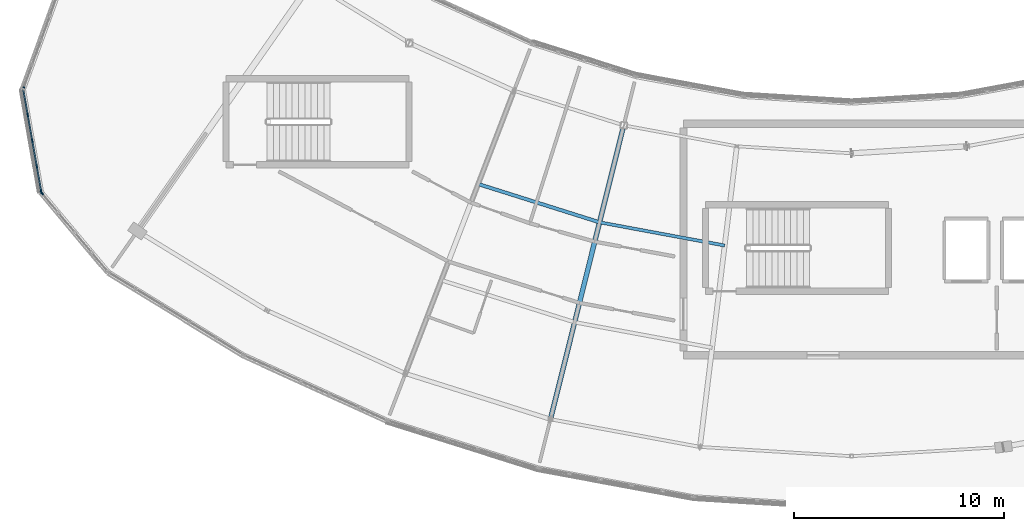
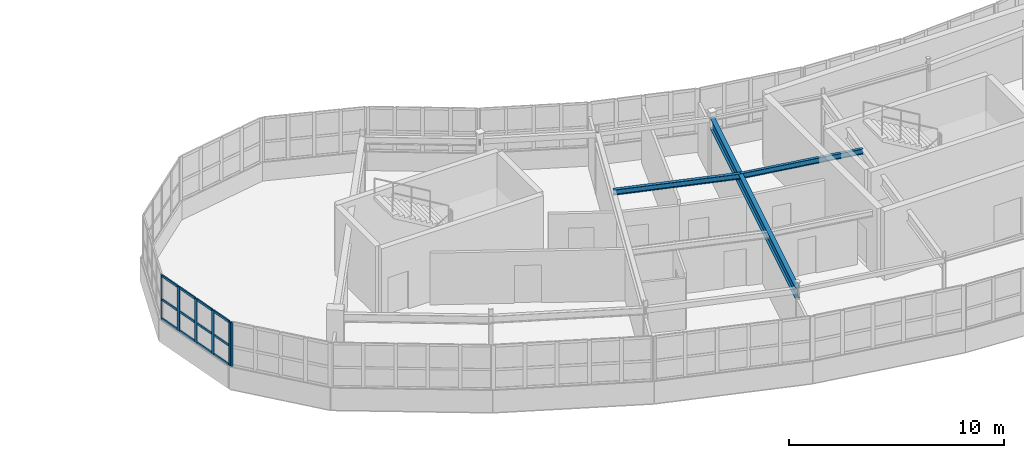
# One storey, part 20 of 79: 18 members, 3 beams, 3 elements without a shape of their own.
"""IFC4 building model written with IfcOpenShell, lengths in metres."""

from ifc_helpers import new_model, si_unit, direction, frame, origin, origin_2d, place, context, subcontext, project, spatial, rectangle, i_section, extrude, material, layer, layer_set, material_profile, profile_set, type_object, element, aggregate, save


model = new_model("IFC4")

# Units and contexts
model_context = context("Model", 3, precision=1e-05, world=origin(), true_north=direction((0.0, 1.0)))
body_context = subcontext(model_context, "Body", "Model", "MODEL_VIEW")
ifc_project = project(units=[si_unit("LENGTHUNIT", "METRE"), si_unit("AREAUNIT", "SQUARE_METRE"), si_unit("VOLUMEUNIT", "CUBIC_METRE"), si_unit("PLANEANGLEUNIT", "RADIAN"), si_unit("MASSUNIT", "GRAM", prefix="KILO")], contexts=[model_context])

# Site, building, storey
site_placement = place(None, origin())
site = spatial("IfcSite", under=ifc_project, at=site_placement, CompositionType="ELEMENT")
building_placement = place(site_placement, origin())
building = spatial("IfcBuilding", under=site, at=building_placement, Name="Tarnwether General Hospital", CompositionType="ELEMENT")
storey_placement = place(building_placement, frame((0.0, 0.0, 18.300048828125)))
storey = spatial("IfcBuildingStorey", under=building, at=storey_placement, Name="L04", CompositionType="ELEMENT", Elevation=18.300048828125)

# Beams
ifc_material_1 = material(Name="Steel Grade 350 (350 MPa)", Category="steel")
ifc_material_profile_1 = material_profile(ifc_material_1, i_section(OverallWidth=0.22802734375, OverallDepth=0.60693359375, WebThickness=0.01123046875, FlangeThickness=0.017333984375, at=origin_2d()), Name="610UB113")
ifc_profile_set_1 = profile_set([ifc_material_profile_1], Name="Steel Grade 350 (350 MPa)")
beam_type_1 = type_object("IfcBeamType", Name="BM-G04", PredefinedType="BEAM", material=ifc_profile_set_1)
beam_1_placement = place(storey_placement, frame((77.677978515625, 5.55810546875, 3.25634765625), z_axis=(0.241941215118, 0.970290909175, 0.0), x_axis=(-0.970290909175, 0.241941215118, 0.0)))
element("IfcBeam", 1, at=beam_1_placement, inside=storey, type_object=beam_type_1, Name="Curved Ward SE Radial Girder BMG-L04-7768_556-8116_1953-2133", PredefinedType="BEAM", context=body_context, shape_type="SweptSolid", body=[
    extrude(i_section(OverallWidth=0.22802734375, OverallDepth=0.60693359375, WebThickness=0.01123046875, FlangeThickness=0.017333984375, at=origin_2d()), origin(), (0.0, 0.0, 1.0), 14.400634765625),
])
ifc_material_2 = material(Name="Steel Grade 350 (350 MPa)", Category="steel")
ifc_material_profile_2 = material_profile(ifc_material_2, i_section(OverallWidth=0.1650390625, OverallDepth=0.303955078125, WebThickness=0.006103515625, FlangeThickness=0.01025390625, at=origin_2d()), Name="310UB40.4")
ifc_profile_set_2 = profile_set([ifc_material_profile_2], Name="Steel Grade 350 (350 MPa)")
beam_type_2 = type_object("IfcBeamType", Name="BM-J07", PredefinedType="JOIST", material=ifc_profile_set_2)
beam_2_placement = place(storey_placement, frame((74.241943359375, 16.739013671875, 3.407958984375), z_axis=(0.953725879816, -0.300677478654, 0.0), x_axis=(0.300677478654, 0.953725879816, 0.0)))
element("IfcBeam", 2, at=beam_2_placement, inside=storey, type_object=beam_type_2, Name="Curved Ward SE Chord Joist BMG-L04-7424_1674-8001_1492-2145", PredefinedType="JOIST", context=body_context, shape_type="SweptSolid", body=[
    extrude(i_section(OverallWidth=0.1650390625, OverallDepth=0.303955078125, WebThickness=0.006103515625, FlangeThickness=0.01025390625, at=origin_2d()), origin(), (0.0, 0.0, 1.0), 6.050048828125),
])
ifc_material_3 = material(Name="Steel Grade 350 (350 MPa)", Category="steel")
ifc_material_profile_3 = material_profile(ifc_material_3, i_section(OverallWidth=0.14892578125, OverallDepth=0.298095703125, WebThickness=0.005615234375, FlangeThickness=0.008056640625, at=origin_2d()), Name="310UB32.0")
ifc_profile_set_3 = profile_set([ifc_material_profile_3], Name="Steel Grade 350 (350 MPa)")
beam_type_3 = type_object("IfcBeamType", Name="BM-J08", PredefinedType="JOIST", material=ifc_profile_set_3)
beam_3_placement = place(storey_placement, frame((80.011962890625, 14.919921875, 3.410888671875), z_axis=(0.983241575901, -0.182307442029, 0.0), x_axis=(0.182307442029, 0.983241575901, 0.0)))
element("IfcBeam", 3, at=beam_3_placement, inside=storey, type_object=beam_type_3, Name="Curved Ward SE Chord Joist BMG-L04-8001_1492-8596_1382-2149", PredefinedType="JOIST", context=body_context, shape_type="SweptSolid", body=[
    extrude(i_section(OverallWidth=0.14892578125, OverallDepth=0.298095703125, WebThickness=0.005615234375, FlangeThickness=0.008056640625, at=origin_2d()), origin(), (0.0, 0.0, 1.0), 6.05029296875),
])

# Curtain wall, member
ifc_material_4 = material(Name="Anodised aluminium", Category="aluminium")
ifc_layer = layer(ifc_material_4, 0.159912109375)
ifc_layer_set = layer_set([ifc_layer], Name="Anodised aluminium")
curtain_wall_type = type_object("IfcCurtainWallType", Name="CW-03", PredefinedType="NOTDEFINED", material=ifc_layer_set)
curtain_wall_1_placement = place(storey_placement, origin())
curtain_wall_1 = element("IfcCurtainWall", 4, at=curtain_wall_1_placement, inside=storey, type_object=curtain_wall_type, Name="Curtain Wall CWG-L04-526_212-0215", PredefinedType="NOTDEFINED")
ifc_material_5 = material(Name="Anodised aluminium", Category="aluminium")
ifc_material_profile_4 = material_profile(ifc_material_5, rectangle(XDim=0.070068359375, YDim=0.179931640625, at=origin_2d()), Name="ALU-MUL-70x180")
ifc_profile_set_4 = profile_set([ifc_material_profile_4], Name="Anodised aluminium")
member_type_1 = type_object("IfcMemberType", Name="CW-ML2", PredefinedType="MULLION", material=ifc_profile_set_4)
member_1_placement = place(storey_placement, frame((52.623046875, 21.27392578125, 1.050048828125), z_axis=(0.0, 0.0, 1.0), x_axis=(-0.939717006582, 0.341953136469, 0.0)))
member_1 = element("IfcMember", 5, at=member_1_placement, type_object=member_type_1, Name="CW-03 mullion 1", PredefinedType="MULLION", context=body_context, shape_type="SweptSolid", body=[
    extrude(rectangle(XDim=0.070068359375, YDim=0.179931640625, at=origin_2d()), origin(), (0.0, 0.0, 1.0), 2.489990234375),
])
aggregate(curtain_wall_1, [member_1])

# Curtain wall, members
curtain_wall_2_placement = place(storey_placement, origin())
curtain_wall_2 = element("IfcCurtainWall", 6, at=curtain_wall_2_placement, inside=storey, type_object=curtain_wall_type, Name="Curtain Wall CWG-L04-535_163-0216", PredefinedType="NOTDEFINED")
ifc_material_6 = material(Name="Anodised aluminium", Category="aluminium")
ifc_material_profile_5 = material_profile(ifc_material_6, rectangle(XDim=0.06494140625, YDim=0.169921875, at=origin_2d()), Name="ALU-MUL-65x170")
ifc_profile_set_5 = profile_set([ifc_material_profile_5], Name="Anodised aluminium")
member_type_2 = type_object("IfcMemberType", Name="CW-ML3", PredefinedType="MULLION", material=ifc_profile_set_5)
member_2_placement = place(storey_placement, frame((53.46728515625, 16.37890625, 1.050048828125), z_axis=(0.0, 0.0, 1.0), x_axis=(-0.984840230098, -0.173463890135, 0.0)))
member_2 = element("IfcMember", 7, at=member_2_placement, type_object=member_type_2, Name="CW-03 mullion 1", PredefinedType="MULLION", context=body_context, shape_type="SweptSolid", body=[
    extrude(rectangle(XDim=0.06494140625, YDim=0.169921875, at=origin_2d()), origin(), (0.0, 0.0, 1.0), 2.489990234375),
])
member_3_placement = place(storey_placement, frame((53.257568359375, 17.570556640625, 1.050048828125), z_axis=(0.0, 0.0, 1.0), x_axis=(-0.984840230098, -0.173463890135, 0.0)))
member_3 = element("IfcMember", 8, at=member_3_placement, type_object=member_type_2, Name="CW-03 mullion 2", PredefinedType="MULLION", context=body_context, shape_type="SweptSolid", body=[
    extrude(rectangle(XDim=0.06494140625, YDim=0.169921875, at=origin_2d()), origin(), (0.0, 0.0, 1.0), 2.489990234375),
])
member_4_placement = place(storey_placement, frame((53.0419921875, 18.7939453125, 1.050048828125), z_axis=(0.0, 0.0, 1.0), x_axis=(-0.984840230098, -0.173463890135, 0.0)))
member_4 = element("IfcMember", 9, at=member_4_placement, type_object=member_type_2, Name="CW-03 mullion 3", PredefinedType="MULLION", context=body_context, shape_type="SweptSolid", body=[
    extrude(rectangle(XDim=0.06494140625, YDim=0.169921875, at=origin_2d()), origin(), (0.0, 0.0, 1.0), 2.489990234375),
])
member_5_placement = place(storey_placement, frame((52.826416015625, 20.017578125, 1.050048828125), z_axis=(0.0, 0.0, 1.0), x_axis=(-0.984840230098, -0.173463890135, 0.0)))
member_5 = element("IfcMember", 10, at=member_5_placement, type_object=member_type_2, Name="CW-03 mullion 4", PredefinedType="MULLION", context=body_context, shape_type="SweptSolid", body=[
    extrude(rectangle(XDim=0.06494140625, YDim=0.169921875, at=origin_2d()), origin(), (0.0, 0.0, 1.0), 2.489990234375),
])

# Curtain wall, member
curtain_wall_3_placement = place(storey_placement, origin())
curtain_wall_3 = element("IfcCurtainWall", 11, at=curtain_wall_3_placement, inside=storey, type_object=curtain_wall_type, Name="Curtain Wall CWG-L04-567_125-0217", PredefinedType="NOTDEFINED")
ifc_material_7 = material(Name="Anodised aluminium", Category="aluminium")
ifc_material_profile_6 = material_profile(ifc_material_7, rectangle(XDim=0.080078125, YDim=0.199951171875, at=origin_2d()), Name="ALU-MUL-80x200")
ifc_profile_set_6 = profile_set([ifc_material_profile_6], Name="Anodised aluminium")
member_type_3 = type_object("IfcMemberType", Name="CW-ML4", PredefinedType="MULLION", material=ifc_profile_set_6)
member_6_placement = place(storey_placement, frame((53.498779296875, 16.31640625, 1.050048828125), z_axis=(0.0, 0.0, 1.0), x_axis=(-0.765990176896, -0.64285227611, 0.0)))
member_6 = element("IfcMember", 12, at=member_6_placement, type_object=member_type_3, Name="CW-03 mullion 5", PredefinedType="MULLION", context=body_context, shape_type="SweptSolid", body=[
    extrude(rectangle(XDim=0.080078125, YDim=0.199951171875, at=origin_2d()), origin(), (0.0, 0.0, 1.0), 2.489990234375),
])
aggregate(curtain_wall_3, [member_6])

# Member
ifc_material_8 = material(Name="Anodised aluminium", Category="aluminium")
ifc_material_profile_7 = material_profile(ifc_material_8, rectangle(XDim=0.06494140625, YDim=0.1298828125, at=origin_2d()), Name="ALU-TRN-65x130")
ifc_profile_set_7 = profile_set([ifc_material_profile_7], Name="Anodised aluminium")
member_type_4 = type_object("IfcMemberType", Name="CW-TR3", PredefinedType="USERDEFINED", material=ifc_profile_set_7)
member_7_placement = place(storey_placement, frame((53.461669921875, 16.4111328125, 1.08251953125), z_axis=(-0.173383838773, 0.984854326513, 0.0), x_axis=(-0.984854326513, -0.173383838773, 0.0)))
member_7 = element("IfcMember", 13, at=member_7_placement, type_object=member_type_4, Name="CW-03 transom 1.1", ObjectType="TRANSOM", PredefinedType="USERDEFINED", context=body_context, shape_type="SweptSolid", body=[
    extrude(rectangle(XDim=0.06494140625, YDim=0.1298828125, at=origin_2d()), origin(), (0.0, 0.0, 1.0), 1.144775390625),
])

member_8_placement = place(storey_placement, frame((53.461669921875, 16.4111328125, 2.17041015625), z_axis=(-0.173383838773, 0.984854326513, 0.0), x_axis=(-0.984854326513, -0.173383838773, 0.0)))
member_8 = element("IfcMember", 14, at=member_8_placement, type_object=member_type_4, Name="CW-03 transom 1.2", ObjectType="TRANSOM", PredefinedType="USERDEFINED", context=body_context, shape_type="SweptSolid", body=[
    extrude(rectangle(XDim=0.06494140625, YDim=0.1298828125, at=origin_2d()), origin(), (0.0, 0.0, 1.0), 1.144775390625),
])

member_9_placement = place(storey_placement, frame((53.461669921875, 16.4111328125, 3.507568359375), z_axis=(-0.173383838773, 0.984854326513, 0.0), x_axis=(-0.984854326513, -0.173383838773, 0.0)))
member_9 = element("IfcMember", 15, at=member_9_placement, type_object=member_type_4, Name="CW-03 transom 1.3", ObjectType="TRANSOM", PredefinedType="USERDEFINED", context=body_context, shape_type="SweptSolid", body=[
    extrude(rectangle(XDim=0.06494140625, YDim=0.1298828125, at=origin_2d()), origin(), (0.0, 0.0, 1.0), 1.144775390625),
])

member_10_placement = place(storey_placement, frame((53.251953125, 17.6025390625, 1.08251953125), z_axis=(-0.173572388329, 0.98482111371, 0.0), x_axis=(-0.98482111371, -0.173572388329, 0.0)))
member_10 = element("IfcMember", 16, at=member_10_placement, type_object=member_type_4, Name="CW-03 transom 2.1", ObjectType="TRANSOM", PredefinedType="USERDEFINED", context=body_context, shape_type="SweptSolid", body=[
    extrude(rectangle(XDim=0.06494140625, YDim=0.1298828125, at=origin_2d()), origin(), (0.0, 0.0, 1.0), 1.17724609375),
])

member_11_placement = place(storey_placement, frame((53.251953125, 17.6025390625, 2.17041015625), z_axis=(-0.173572388329, 0.98482111371, 0.0), x_axis=(-0.98482111371, -0.173572388329, 0.0)))
member_11 = element("IfcMember", 17, at=member_11_placement, type_object=member_type_4, Name="CW-03 transom 2.2", ObjectType="TRANSOM", PredefinedType="USERDEFINED", context=body_context, shape_type="SweptSolid", body=[
    extrude(rectangle(XDim=0.06494140625, YDim=0.1298828125, at=origin_2d()), origin(), (0.0, 0.0, 1.0), 1.17724609375),
])

member_12_placement = place(storey_placement, frame((53.251953125, 17.6025390625, 3.507568359375), z_axis=(-0.173572388329, 0.98482111371, 0.0), x_axis=(-0.98482111371, -0.173572388329, 0.0)))
member_12 = element("IfcMember", 18, at=member_12_placement, type_object=member_type_4, Name="CW-03 transom 2.3", ObjectType="TRANSOM", PredefinedType="USERDEFINED", context=body_context, shape_type="SweptSolid", body=[
    extrude(rectangle(XDim=0.06494140625, YDim=0.1298828125, at=origin_2d()), origin(), (0.0, 0.0, 1.0), 1.17724609375),
])

member_13_placement = place(storey_placement, frame((53.036376953125, 18.825927734375, 1.08251953125), z_axis=(-0.173536947338, 0.984827359444, 0.0), x_axis=(-0.984827359444, -0.173536947338, 0.0)))
member_13 = element("IfcMember", 19, at=member_13_placement, type_object=member_type_4, Name="CW-03 transom 3.1", ObjectType="TRANSOM", PredefinedType="USERDEFINED", context=body_context, shape_type="SweptSolid", body=[
    extrude(rectangle(XDim=0.06494140625, YDim=0.1298828125, at=origin_2d()), origin(), (0.0, 0.0, 1.0), 1.177490234375),
])

member_14_placement = place(storey_placement, frame((53.036376953125, 18.825927734375, 2.17041015625), z_axis=(-0.173536947338, 0.984827359444, 0.0), x_axis=(-0.984827359444, -0.173536947338, 0.0)))
member_14 = element("IfcMember", 20, at=member_14_placement, type_object=member_type_4, Name="CW-03 transom 3.2", ObjectType="TRANSOM", PredefinedType="USERDEFINED", context=body_context, shape_type="SweptSolid", body=[
    extrude(rectangle(XDim=0.06494140625, YDim=0.1298828125, at=origin_2d()), origin(), (0.0, 0.0, 1.0), 1.177490234375),
])

member_15_placement = place(storey_placement, frame((53.036376953125, 18.825927734375, 3.507568359375), z_axis=(-0.173536947338, 0.984827359444, 0.0), x_axis=(-0.984827359444, -0.173536947338, 0.0)))
member_15 = element("IfcMember", 21, at=member_15_placement, type_object=member_type_4, Name="CW-03 transom 3.3", ObjectType="TRANSOM", PredefinedType="USERDEFINED", context=body_context, shape_type="SweptSolid", body=[
    extrude(rectangle(XDim=0.06494140625, YDim=0.1298828125, at=origin_2d()), origin(), (0.0, 0.0, 1.0), 1.177490234375),
])

member_16_placement = place(storey_placement, frame((52.82080078125, 20.049560546875, 1.08251953125), z_axis=(-0.173383838773, 0.984854326513, 0.0), x_axis=(-0.984854326513, -0.173383838773, 0.0)))
member_16 = element("IfcMember", 22, at=member_16_placement, type_object=member_type_4, Name="CW-03 transom 4.1", ObjectType="TRANSOM", PredefinedType="USERDEFINED", context=body_context, shape_type="SweptSolid", body=[
    extrude(rectangle(XDim=0.06494140625, YDim=0.1298828125, at=origin_2d()), origin(), (0.0, 0.0, 1.0), 1.144775390625),
])

member_17_placement = place(storey_placement, frame((52.82080078125, 20.049560546875, 2.17041015625), z_axis=(-0.173383838773, 0.984854326513, 0.0), x_axis=(-0.984854326513, -0.173383838773, 0.0)))
member_17 = element("IfcMember", 23, at=member_17_placement, type_object=member_type_4, Name="CW-03 transom 4.2", ObjectType="TRANSOM", PredefinedType="USERDEFINED", context=body_context, shape_type="SweptSolid", body=[
    extrude(rectangle(XDim=0.06494140625, YDim=0.1298828125, at=origin_2d()), origin(), (0.0, 0.0, 1.0), 1.144775390625),
])

member_18_placement = place(storey_placement, frame((52.82080078125, 20.049560546875, 3.507568359375), z_axis=(-0.173383838773, 0.984854326513, 0.0), x_axis=(-0.984854326513, -0.173383838773, 0.0)))
member_18 = element("IfcMember", 24, at=member_18_placement, type_object=member_type_4, Name="CW-03 transom 4.3", ObjectType="TRANSOM", PredefinedType="USERDEFINED", context=body_context, shape_type="SweptSolid", body=[
    extrude(rectangle(XDim=0.06494140625, YDim=0.1298828125, at=origin_2d()), origin(), (0.0, 0.0, 1.0), 1.144775390625),
])

aggregate(curtain_wall_2, [member_2, member_3, member_4, member_5, member_7, member_8, member_9, member_10, member_11, member_12, member_13, member_14, member_15, member_16, member_17, member_18])

save(model, "model.ifc")
